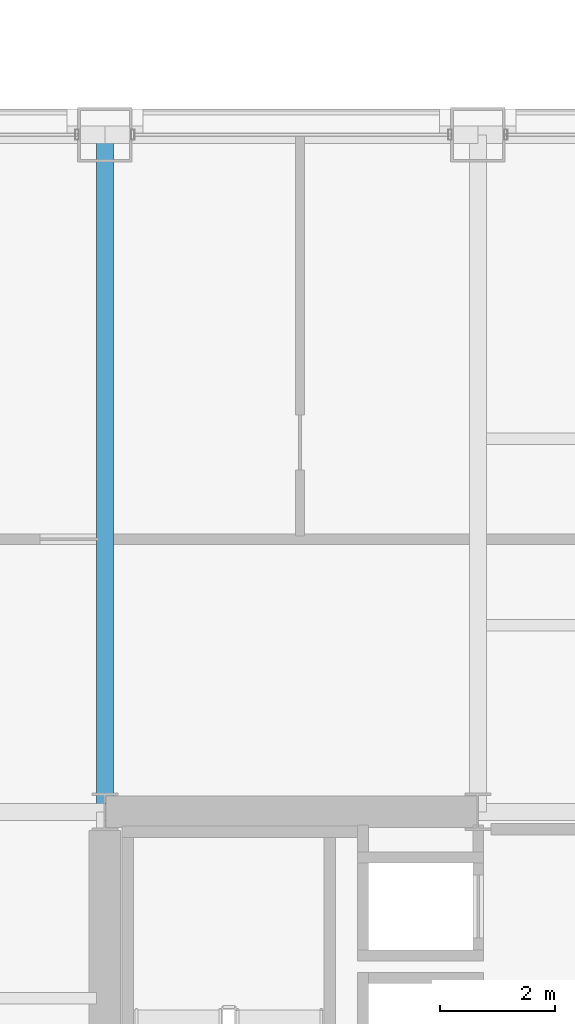
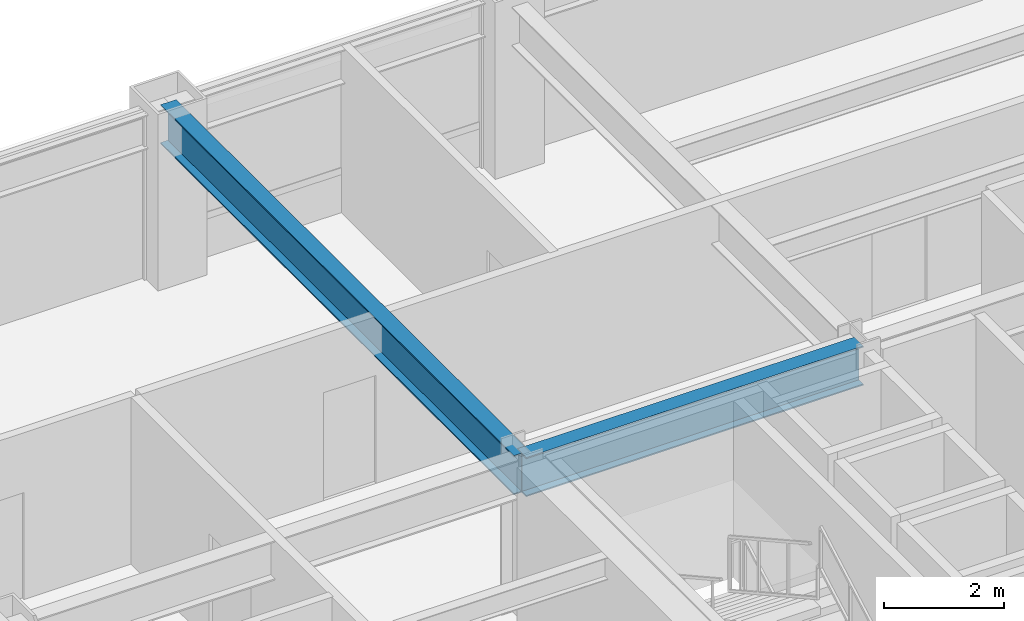
# One storey, part 16 of 28: 2 beams.
"""IFC4 building model written with IfcOpenShell, lengths in metres."""

from ifc_helpers import new_model, si_unit, direction, frame, origin, origin_2d, place, context, subcontext, project, spatial, i_section, extrude, material, material_profile, profile_set, type_object, element, save


model = new_model("IFC4")

# Units and contexts
model_context = context("Model", 3, precision=1e-05, world=origin(), true_north=direction((0.0, 1.0)))
body_context = subcontext(model_context, "Body", "Model", "MODEL_VIEW")
ifc_project = project(units=[si_unit("LENGTHUNIT", "METRE"), si_unit("AREAUNIT", "SQUARE_METRE"), si_unit("VOLUMEUNIT", "CUBIC_METRE"), si_unit("PLANEANGLEUNIT", "RADIAN"), si_unit("MASSUNIT", "GRAM", prefix="KILO")], contexts=[model_context])

# Site, building, storey
site_placement = place(None, origin())
site = spatial("IfcSite", under=ifc_project, at=site_placement, CompositionType="ELEMENT")
building_placement = place(site_placement, origin())
building = spatial("IfcBuilding", under=site, at=building_placement, Name="Brelmoor Portico Tower", CompositionType="ELEMENT")
storey_placement = place(building_placement, frame((0.0, 0.0, 49.199951171875)))
storey = spatial("IfcBuildingStorey", under=building, at=storey_placement, Name="L12", CompositionType="ELEMENT", Elevation=49.199951171875)

# Beams
ifc_material = material(Name="Steel Q355B", Category="steel")
ifc_material_profile = material_profile(ifc_material, i_section(OverallWidth=0.300048828125, OverallDepth=0.800048828125, WebThickness=0.013916015625, FlangeThickness=0.02587890625, at=origin_2d()), Name="HN 800x300x14x26")
ifc_profile_set = profile_set([ifc_material_profile], Name="Steel Q355B")
beam_type = type_object("IfcBeamType", Name="BM-PG-800", PredefinedType="BEAM", material=ifc_profile_set)
beam_1_placement = place(storey_placement, frame((-14.550048828125, 9.75, 3.0), z_axis=(0.0, 1.0, 0.0), x_axis=(-1.0, 0.0, 0.0)))
element("IfcBeam", 1, at=beam_1_placement, inside=storey, type_object=beam_type, Name="L12 Primary Floor Girder PG-06", PredefinedType="BEAM", context=body_context, shape_type="SweptSolid", body=[
    extrude(i_section(OverallWidth=0.300048828125, OverallDepth=0.800048828125, WebThickness=0.013916015625, FlangeThickness=0.02587890625, at=origin_2d()), origin(), (0.0, 0.0, 1.0), 11.800048828125),
])
beam_2_placement = place(storey_placement, frame((-14.550048828125, 9.75, 3.0), z_axis=(1.0, 0.0, 0.0), x_axis=(0.0, 1.0, 0.0)))
element("IfcBeam", 2, at=beam_2_placement, inside=storey, type_object=beam_type, Name="L12 Primary Floor Girder PG-28", PredefinedType="BEAM", context=body_context, shape_type="SweptSolid", body=[
    extrude(i_section(OverallWidth=0.300048828125, OverallDepth=0.800048828125, WebThickness=0.013916015625, FlangeThickness=0.02587890625, at=origin_2d()), origin(), (0.0, 0.0, 1.0), 6.5),
])

save(model, "model.ifc")
